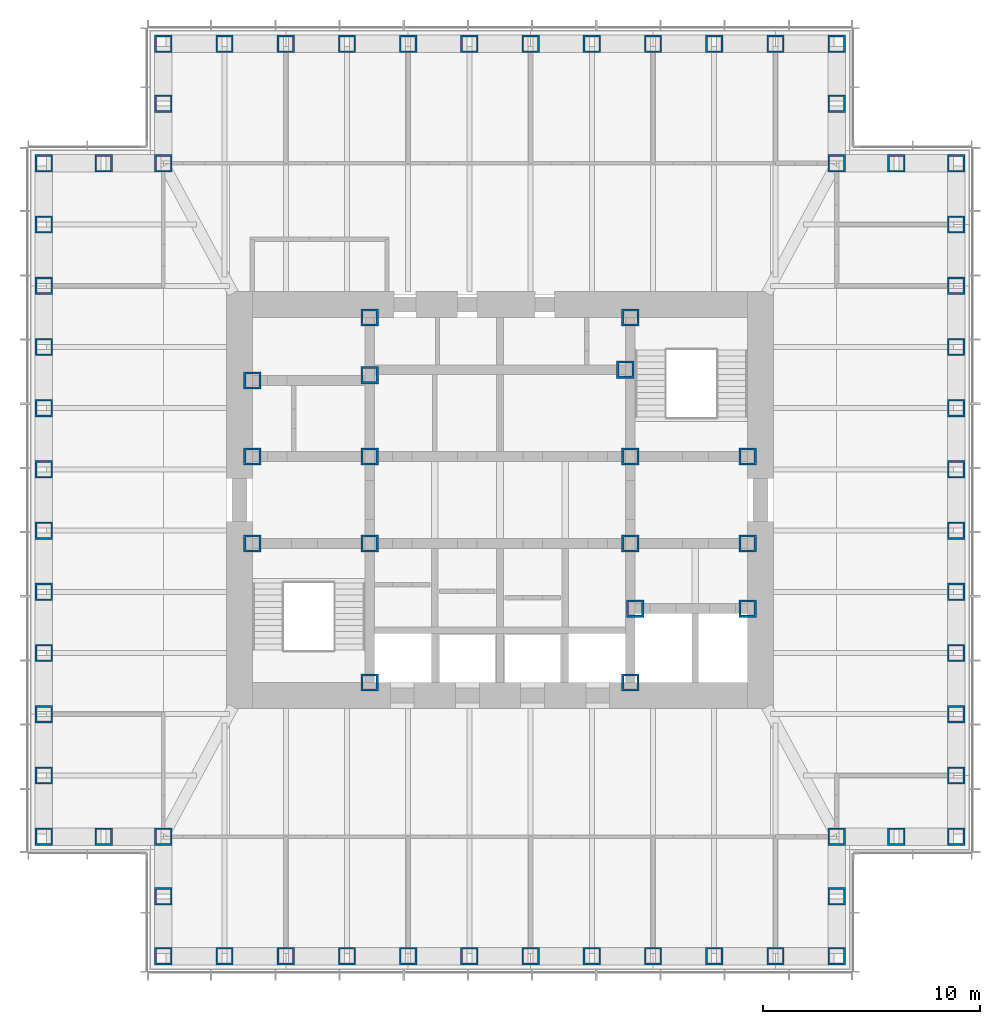
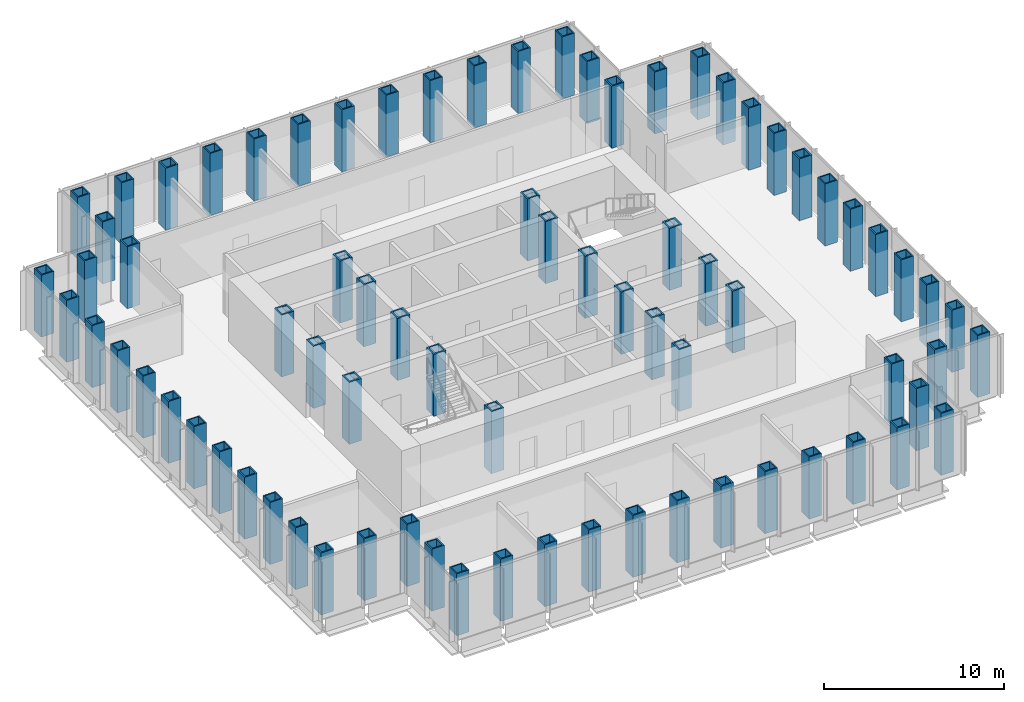
# One storey, part 1 of 16: 77 columns.
"""IFC4 building model written with IfcOpenShell, lengths in metres."""

from ifc_helpers import new_model, si_unit, direction, frame, origin, origin_2d, place, context, subcontext, project, spatial, hollow_rectangle, extrude, material, material_profile, profile_set, type_object, element, save


model = new_model("IFC4")

# Units and contexts
model_context = context("Model", 3, precision=1e-05, world=origin(), true_north=direction((0.0, 1.0)))
body_context = subcontext(model_context, "Body", "Model", "MODEL_VIEW")
ifc_project = project(units=[si_unit("LENGTHUNIT", "METRE"), si_unit("AREAUNIT", "SQUARE_METRE"), si_unit("VOLUMEUNIT", "CUBIC_METRE"), si_unit("PLANEANGLEUNIT", "RADIAN"), si_unit("MASSUNIT", "GRAM", prefix="KILO")], contexts=[model_context])

# Site, building, storey
site_placement = place(None, origin())
site = spatial("IfcSite", under=ifc_project, at=site_placement, CompositionType="ELEMENT")
building_placement = place(site_placement, origin())
building = spatial("IfcBuilding", under=site, at=building_placement, Name="Daluyong Arena Tower", CompositionType="ELEMENT")
storey_placement = place(building_placement, frame((0.0, 0.0, 227.5)))
storey = spatial("IfcBuildingStorey", under=building, at=storey_placement, Name="L51", CompositionType="ELEMENT", Elevation=227.5)

# Columns
ifc_material_1 = material(Name="Steel ASTM A572 Grade 50", Category="steel")
ifc_material_profile_1 = material_profile(ifc_material_1, hollow_rectangle(XDim=0.800048828125, YDim=0.800048828125, WallThickness=0.1, at=origin_2d()))
ifc_profile_set_1 = profile_set([ifc_material_profile_1], Name="Steel ASTM A572 Grade 50")
column_type_1 = type_object("IfcColumnType", Name="Core boundary column BX800X100", PredefinedType="COLUMN", material=ifc_profile_set_1)
for number, where, z_axis, x_axis, name in (
    (1, (44.60009765625, 78.0, 0.0), (0.0, 0.0, 1.0), (1.0, 0.0, 0.0), "core boundary column BC2"),
    (2, (44.60009765625, 82.0, 0.0), (0.0, 0.0, 1.0), (1.0, 0.0, 0.0), "core boundary column BC2"),
    (3, (44.60009765625, 85.5, 0.0), (0.0, 0.0, 1.0), (1.0, 0.0, 0.0), "core boundary column BC2"),
    (4, (50.0, 71.60009765625, 0.0), (0.0, 0.0, 1.0), (1.0, 0.0, 0.0), "core boundary column BC2"),
    (5, (50.0, 78.0, 0.0), (0.0, 0.0, 1.0), (1.0, 0.0, 0.0), "core boundary column BC2"),
    (6, (50.0, 82.0, 0.0), (0.0, 0.0, 1.0), (1.0, 0.0, 0.0), "core boundary column BC2"),
    (7, (50.0, 85.75, 0.0), (0.0, 0.0, 1.0), (1.0, 0.0, 0.0), "core boundary column BC2"),
    (8, (50.0, 88.39990234375, 0.0), (0.0, 0.0, 1.0), (1.0, 0.0, 0.0), "core boundary column BC2"),
    (9, (61.77490234375, 86.0, 0.0), (0.0, 0.0, 1.0), (1.0, 0.0, 0.0), "core boundary column BC2"),
    (10, (62.0, 71.60009765625, 0.0), (0.0, 0.0, 1.0), (1.0, 0.0, 0.0), "core boundary column BC2"),
    (11, (62.0, 78.0, 0.0), (0.0, 0.0, 1.0), (1.0, 0.0, 0.0), "core boundary column BC2"),
    (12, (62.0, 82.0, 0.0), (0.0, 0.0, 1.0), (1.0, 0.0, 0.0), "core boundary column BC2"),
    (13, (62.0, 88.39990234375, 0.0), (0.0, 0.0, 1.0), (1.0, 0.0, 0.0), "core boundary column BC2"),
    (14, (62.22509765625, 75.0, 0.0), (0.0, 0.0, 1.0), (1.0, 0.0, 0.0), "core boundary column BC2"),
    (15, (67.39990234375, 75.0, 0.0), (0.0, 0.0, 1.0), (1.0, 0.0, 0.0), "core boundary column BC2"),
    (16, (67.39990234375, 78.0, 0.0), (0.0, 0.0, 1.0), (1.0, 0.0, 0.0), "core boundary column BC2"),
    (17, (67.39990234375, 82.0, 0.0), (0.0, 0.0, 1.0), (1.0, 0.0, 0.0), "core boundary column BC2"),
):
    element("IfcColumn", number, at=place(storey_placement, frame(where, z_axis=z_axis, x_axis=x_axis)), inside=storey, type_object=column_type_1, Name=name, PredefinedType="COLUMN", context=body_context, shape_type="SweptSolid", body=[
        extrude(hollow_rectangle(XDim=0.800048828125, YDim=0.800048828125, WallThickness=0.1, at=origin_2d()), origin(), (0.0, 0.0, 1.0), 4.199951171875),
    ])
ifc_material_2 = material(Name="Steel ASTM A572 Grade 50", Category="steel")
ifc_material_profile_2 = material_profile(ifc_material_2, hollow_rectangle(XDim=0.800048828125, YDim=0.800048828125, WallThickness=0.08, at=origin_2d()))
ifc_profile_set_2 = profile_set([ifc_material_profile_2], Name="Steel ASTM A572 Grade 50")
column_type_2 = type_object("IfcColumnType", Name="Tube column BX800X80 BX800X80", PredefinedType="COLUMN", material=ifc_profile_set_2)
for number, where, z_axis, x_axis, name in (
    (18, (40.5, 59.0, 0.0), (0.0, 0.0, 1.0), (1.0, 0.0, 0.0), "tube column bx800x80 TC6"),
    (19, (43.318115234375, 59.0, 0.0), (0.0, 0.0, 1.0), (1.0, 0.0, 0.0), "tube column bx800x80 TC6"),
    (20, (46.136474609375, 59.0, 0.0), (0.0, 0.0, 1.0), (1.0, 0.0, 0.0), "tube column bx800x80 TC6"),
    (21, (48.95458984375, 59.0, 0.0), (0.0, 0.0, 1.0), (1.0, 0.0, 0.0), "tube column bx800x80 TC6"),
    (22, (51.772705078125, 59.0, 0.0), (0.0, 0.0, 1.0), (1.0, 0.0, 0.0), "tube column bx800x80 TC6"),
    (23, (54.5908203125, 59.0, 0.0), (0.0, 0.0, 1.0), (1.0, 0.0, 0.0), "tube column bx800x80 TC6"),
    (24, (57.4091796875, 59.0, 0.0), (0.0, 0.0, 1.0), (1.0, 0.0, 0.0), "tube column bx800x80 TC6"),
    (25, (60.227294921875, 59.0, 0.0), (0.0, 0.0, 1.0), (1.0, 0.0, 0.0), "tube column bx800x80 TC6"),
    (26, (63.04541015625, 59.0, 0.0), (0.0, 0.0, 1.0), (1.0, 0.0, 0.0), "tube column bx800x80 TC6"),
    (27, (65.863525390625, 59.0, 0.0), (0.0, 0.0, 1.0), (1.0, 0.0, 0.0), "tube column bx800x80 TC6"),
    (28, (68.681884765625, 59.0, 0.0), (0.0, 0.0, 1.0), (1.0, 0.0, 0.0), "tube column bx800x80 TC6"),
    (29, (71.5, 59.0, 0.0), (0.0, 0.0, 1.0), (0.0, 1.0, 0.0), "tube column bx800x80 TC6"),
    (30, (71.5, 61.75, 0.0), (0.0, 0.0, 1.0), (0.0, 1.0, 0.0), "tube column bx800x80 TC6"),
    (31, (71.5, 64.5, 0.0), (0.0, 0.0, 1.0), (1.0, 0.0, 0.0), "tube column bx800x80 TC6"),
    (32, (74.25, 64.5, 0.0), (0.0, 0.0, 1.0), (1.0, 0.0, 0.0), "tube column bx800x80 TC6"),
    (33, (77.0, 64.5, 0.0), (0.0, 0.0, 1.0), (0.0, 1.0, 0.0), "tube column bx800x80 TC6"),
    (34, (77.0, 67.318115234375, 0.0), (0.0, 0.0, 1.0), (0.0, 1.0, 0.0), "tube column bx800x80 TC6"),
    (35, (77.0, 70.136474609375, 0.0), (0.0, 0.0, 1.0), (0.0, 1.0, 0.0), "tube column bx800x80 TC6"),
    (36, (77.0, 72.95458984375, 0.0), (0.0, 0.0, 1.0), (0.0, 1.0, 0.0), "tube column bx800x80 TC6"),
    (37, (77.0, 75.772705078125, 0.0), (0.0, 0.0, 1.0), (0.0, 1.0, 0.0), "tube column bx800x80 TC6"),
    (38, (77.0, 78.5908203125, 0.0), (0.0, 0.0, 1.0), (0.0, 1.0, 0.0), "tube column bx800x80 TC6"),
    (39, (77.0, 81.4091796875, 0.0), (0.0, 0.0, 1.0), (0.0, 1.0, 0.0), "tube column bx800x80 TC6"),
    (40, (77.0, 84.227294921875, 0.0), (0.0, 0.0, 1.0), (0.0, 1.0, 0.0), "tube column bx800x80 TC6"),
    (41, (77.0, 87.04541015625, 0.0), (0.0, 0.0, 1.0), (0.0, 1.0, 0.0), "tube column bx800x80 TC6"),
    (42, (77.0, 89.863525390625, 0.0), (0.0, 0.0, 1.0), (0.0, 1.0, 0.0), "tube column bx800x80 TC6"),
    (43, (77.0, 92.681884765625, 0.0), (0.0, 0.0, 1.0), (0.0, 1.0, 0.0), "tube column bx800x80 TC6"),
    (44, (77.0, 95.5, 0.0), (0.0, 0.0, 1.0), (1.0, 0.0, 0.0), "tube column bx800x80 TC6"),
    (45, (74.25, 95.5, 0.0), (0.0, 0.0, 1.0), (1.0, 0.0, 0.0), "tube column bx800x80 TC6"),
    (46, (71.5, 95.5, 0.0), (0.0, 0.0, 1.0), (0.0, 1.0, 0.0), "tube column bx800x80 TC6"),
    (47, (71.5, 98.25, 0.0), (0.0, 0.0, 1.0), (0.0, 1.0, 0.0), "tube column bx800x80 TC6"),
    (48, (71.5, 101.0, 0.0), (0.0, 0.0, 1.0), (1.0, 0.0, 0.0), "tube column bx800x80 TC6"),
    (49, (68.681884765625, 101.0, 0.0), (0.0, 0.0, 1.0), (1.0, 0.0, 0.0), "tube column bx800x80 TC6"),
    (50, (65.863525390625, 101.0, 0.0), (0.0, 0.0, 1.0), (1.0, 0.0, 0.0), "tube column bx800x80 TC6"),
    (51, (63.04541015625, 101.0, 0.0), (0.0, 0.0, 1.0), (1.0, 0.0, 0.0), "tube column bx800x80 TC6"),
    (52, (60.227294921875, 101.0, 0.0), (0.0, 0.0, 1.0), (1.0, 0.0, 0.0), "tube column bx800x80 TC6"),
    (53, (57.4091796875, 101.0, 0.0), (0.0, 0.0, 1.0), (1.0, 0.0, 0.0), "tube column bx800x80 TC6"),
    (54, (54.5908203125, 101.0, 0.0), (0.0, 0.0, 1.0), (1.0, 0.0, 0.0), "tube column bx800x80 TC6"),
    (55, (51.772705078125, 101.0, 0.0), (0.0, 0.0, 1.0), (1.0, 0.0, 0.0), "tube column bx800x80 TC6"),
    (56, (48.95458984375, 101.0, 0.0), (0.0, 0.0, 1.0), (1.0, 0.0, 0.0), "tube column bx800x80 TC6"),
    (57, (46.136474609375, 101.0, 0.0), (0.0, 0.0, 1.0), (1.0, 0.0, 0.0), "tube column bx800x80 TC6"),
    (58, (43.318115234375, 101.0, 0.0), (0.0, 0.0, 1.0), (1.0, 0.0, 0.0), "tube column bx800x80 TC6"),
    (59, (40.5, 101.0, 0.0), (0.0, 0.0, 1.0), (0.0, 1.0, 0.0), "tube column bx800x80 TC6"),
    (60, (40.5, 98.25, 0.0), (0.0, 0.0, 1.0), (0.0, 1.0, 0.0), "tube column bx800x80 TC6"),
    (61, (40.5, 95.5, 0.0), (0.0, 0.0, 1.0), (1.0, 0.0, 0.0), "tube column bx800x80 TC6"),
    (62, (37.75, 95.5, 0.0), (0.0, 0.0, 1.0), (1.0, 0.0, 0.0), "tube column bx800x80 TC6"),
    (63, (35.0, 95.5, 0.0), (0.0, 0.0, 1.0), (0.0, 1.0, 0.0), "tube column bx800x80 TC6"),
    (64, (35.0, 92.681884765625, 0.0), (0.0, 0.0, 1.0), (0.0, 1.0, 0.0), "tube column bx800x80 TC6"),
    (65, (35.0, 89.863525390625, 0.0), (0.0, 0.0, 1.0), (0.0, 1.0, 0.0), "tube column bx800x80 TC6"),
    (66, (35.0, 87.04541015625, 0.0), (0.0, 0.0, 1.0), (0.0, 1.0, 0.0), "tube column bx800x80 TC6"),
    (67, (35.0, 84.227294921875, 0.0), (0.0, 0.0, 1.0), (0.0, 1.0, 0.0), "tube column bx800x80 TC6"),
    (68, (35.0, 81.4091796875, 0.0), (0.0, 0.0, 1.0), (0.0, 1.0, 0.0), "tube column bx800x80 TC6"),
    (69, (35.0, 78.5908203125, 0.0), (0.0, 0.0, 1.0), (0.0, 1.0, 0.0), "tube column bx800x80 TC6"),
    (70, (35.0, 75.772705078125, 0.0), (0.0, 0.0, 1.0), (0.0, 1.0, 0.0), "tube column bx800x80 TC6"),
    (71, (35.0, 72.95458984375, 0.0), (0.0, 0.0, 1.0), (0.0, 1.0, 0.0), "tube column bx800x80 TC6"),
    (72, (35.0, 70.136474609375, 0.0), (0.0, 0.0, 1.0), (0.0, 1.0, 0.0), "tube column bx800x80 TC6"),
    (73, (35.0, 67.318115234375, 0.0), (0.0, 0.0, 1.0), (0.0, 1.0, 0.0), "tube column bx800x80 TC6"),
    (74, (35.0, 64.5, 0.0), (0.0, 0.0, 1.0), (1.0, 0.0, 0.0), "tube column bx800x80 TC6"),
    (75, (37.75, 64.5, 0.0), (0.0, 0.0, 1.0), (1.0, 0.0, 0.0), "tube column bx800x80 TC6"),
    (76, (40.5, 64.5, 0.0), (0.0, 0.0, 1.0), (0.0, 1.0, 0.0), "tube column bx800x80 TC6"),
    (77, (40.5, 61.75, 0.0), (0.0, 0.0, 1.0), (0.0, 1.0, 0.0), "tube column bx800x80 TC6"),
):
    element("IfcColumn", number, at=place(storey_placement, frame(where, z_axis=z_axis, x_axis=x_axis)), inside=storey, type_object=column_type_2, Name=name, PredefinedType="COLUMN", context=body_context, shape_type="SweptSolid", body=[
        extrude(hollow_rectangle(XDim=0.800048828125, YDim=0.800048828125, WallThickness=0.08, at=origin_2d()), origin(), (0.0, 0.0, 1.0), 4.199951171875),
    ])

save(model, "model.ifc")
